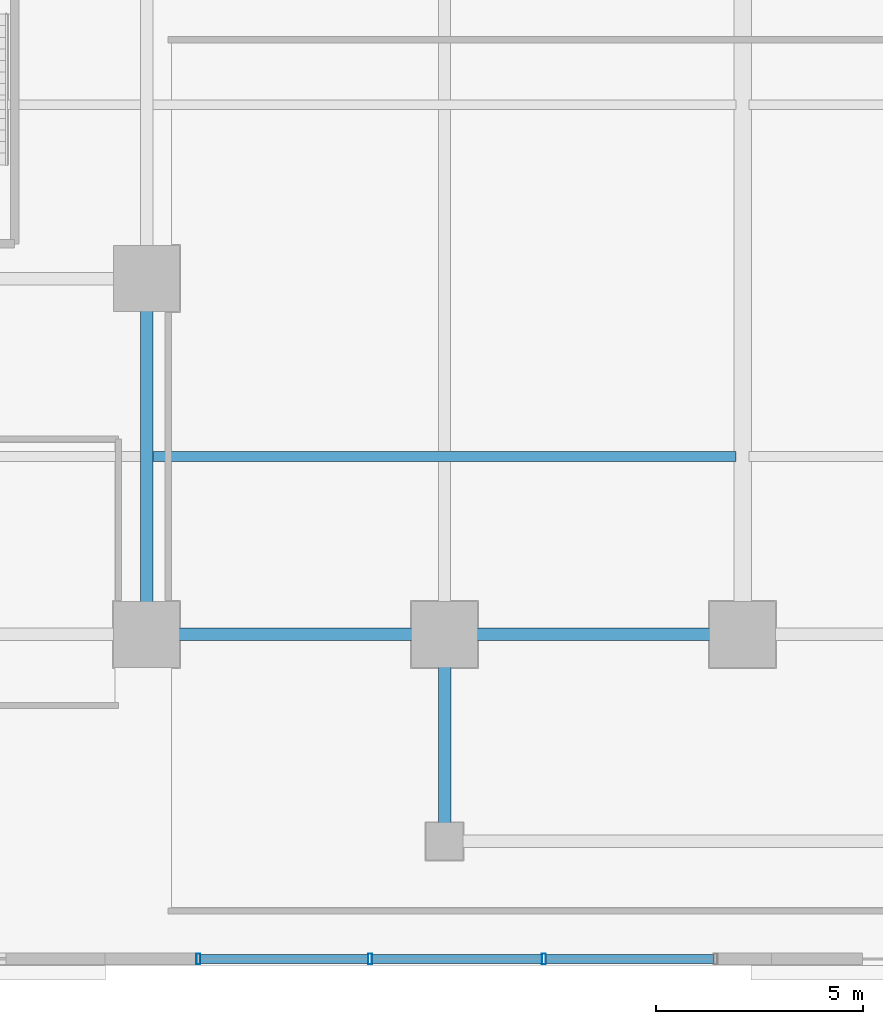
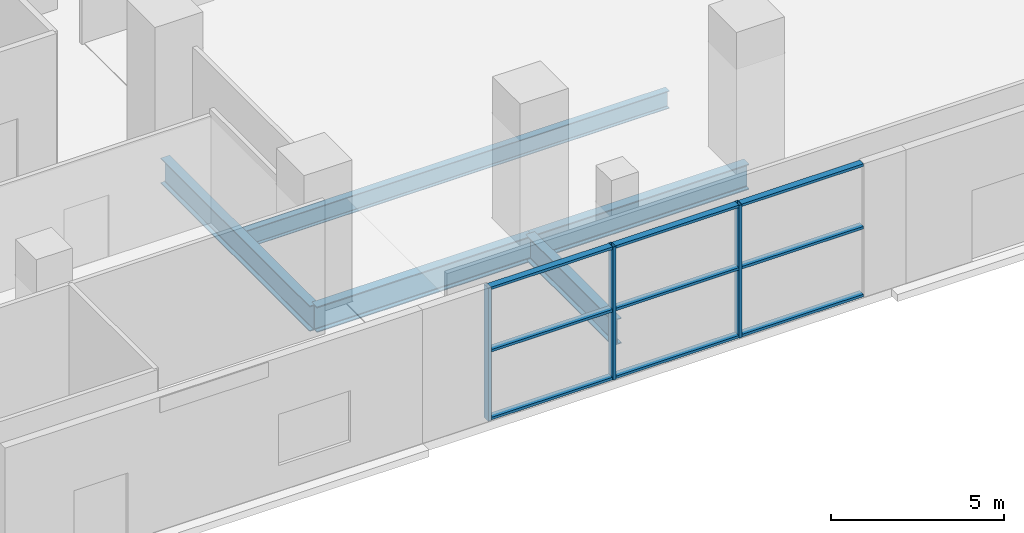
# One storey, part 2 of 27: 12 members, 5 beams, 1 element without a shape of its own.
"""IFC4 building model written with IfcOpenShell, lengths in metres."""

from ifc_helpers import new_model, si_unit, direction, frame, origin, origin_2d, place, context, subcontext, project, spatial, hollow_rectangle, i_section, extrude, source, transform, mapped, material, layer, layer_set, material_profile, profile_set, type_object, element, aggregate, save


model = new_model("IFC4")

# Units and contexts
model_context = context("Model", 3, precision=1e-05, world=origin(), true_north=direction((0.0, 1.0)))
body_context = subcontext(model_context, "Body", "Model", "MODEL_VIEW")
ifc_project = project(units=[si_unit("LENGTHUNIT", "METRE"), si_unit("AREAUNIT", "SQUARE_METRE"), si_unit("VOLUMEUNIT", "CUBIC_METRE"), si_unit("PLANEANGLEUNIT", "RADIAN"), si_unit("MASSUNIT", "GRAM", prefix="KILO")], contexts=[model_context])

# Site, building, storey
site_placement = place(None, origin())
site = spatial("IfcSite", under=ifc_project, at=site_placement, CompositionType="ELEMENT")
building_placement = place(site_placement, origin())
building = spatial("IfcBuilding", under=site, at=building_placement, Name="Zarnakvel Exchange Tower", CompositionType="ELEMENT")
storey_placement = place(building_placement, origin())
storey = spatial("IfcBuildingStorey", under=building, at=storey_placement, Name="L00", CompositionType="ELEMENT", Elevation=0.0)

# Beams
ifc_material_1 = material(Name="Steel S355", Category="steel")
ifc_material_profile_1 = material_profile(ifc_material_1, i_section(OverallWidth=0.230224609375, OverallDepth=0.6171875, WebThickness=0.01318359375, FlangeThickness=0.022216796875, FilletRadius=0.0126953125, at=origin_2d()))
ifc_profile_set_1 = profile_set([ifc_material_profile_1], Name="Steel S355")
beam_type_1 = type_object("IfcBeamType", Name="B-02", PredefinedType="JOIST", material=ifc_profile_set_1)
beam_1_placement = place(storey_placement, frame((-21.449951171875, -13.89990234375, -0.608642578125), z_axis=(1.0, 0.0, 0.0), x_axis=(0.0, 1.0, 0.0)))
element("IfcBeam", 1, at=beam_1_placement, inside=storey, type_object=beam_type_1, Name="L00 Secondary Floor Joist", PredefinedType="JOIST", context=body_context, shape_type="SweptSolid", body=[
    extrude(i_section(OverallWidth=0.230224609375, OverallDepth=0.6171875, WebThickness=0.01318359375, FlangeThickness=0.022216796875, FilletRadius=0.0126953125, at=origin_2d()), origin(), (0.0, 0.0, 1.0), 14.094970703125),
])
ifc_material_profile_2 = material_profile(ifc_material_1, i_section(OverallWidth=0.300048828125, OverallDepth=0.89990234375, WebThickness=0.0185546875, FlangeThickness=0.034912109375, FilletRadius=0.030029296875, at=origin_2d()))
ifc_profile_set_2 = profile_set([ifc_material_profile_2], Name="Steel S355")
beam_type_2 = type_object("IfcBeamType", Name="G-01", PredefinedType="BEAM", material=ifc_profile_set_2)
beam_2_placement = place(storey_placement, frame((-21.60009765625, -18.199951171875, -0.75), z_axis=(1.0, 0.0, 0.0), x_axis=(0.0, 1.0, 0.0)))
element("IfcBeam", 2, at=beam_2_placement, inside=storey, type_object=beam_type_2, Name="L00 Primary E-W Girder Y=-18.2", PredefinedType="BEAM", context=body_context, shape_type="SweptSolid", body=[
    extrude(i_section(OverallWidth=0.300048828125, OverallDepth=0.89990234375, WebThickness=0.0185546875, FlangeThickness=0.034912109375, FilletRadius=0.030029296875, at=origin_2d()), origin(), (0.0, 0.0, 1.0), 7.2001953125),
])
beam_3_placement = place(storey_placement, frame((-14.39990234375, -18.199951171875, -0.75), z_axis=(1.0, 0.0, 0.0), x_axis=(0.0, 1.0, 0.0)))
element("IfcBeam", 3, at=beam_3_placement, inside=storey, type_object=beam_type_2, Name="L00 Primary E-W Girder Y=-18.2", PredefinedType="BEAM", context=body_context, shape_type="SweptSolid", body=[
    extrude(i_section(OverallWidth=0.300048828125, OverallDepth=0.89990234375, WebThickness=0.0185546875, FlangeThickness=0.034912109375, FilletRadius=0.030029296875, at=origin_2d()), origin(), (0.0, 0.0, 1.0), 7.199951171875),
])
beam_4_placement = place(storey_placement, frame((-21.60009765625, -18.199951171875, -0.75), z_axis=(0.0, 1.0, 0.0), x_axis=(-1.0, 0.0, 0.0)))
element("IfcBeam", 4, at=beam_4_placement, inside=storey, type_object=beam_type_2, Name="L00 Primary N-S Girder X=-21.6", PredefinedType="BEAM", context=body_context, shape_type="SweptSolid", body=[
    extrude(i_section(OverallWidth=0.300048828125, OverallDepth=0.89990234375, WebThickness=0.0185546875, FlangeThickness=0.034912109375, FilletRadius=0.030029296875, at=origin_2d()), origin(), (0.0, 0.0, 1.0), 8.599853515625),
])
beam_5_placement = place(storey_placement, frame((-14.39990234375, -23.199951171875, -0.75), z_axis=(0.0, 1.0, 0.0), x_axis=(-1.0, 0.0, 0.0)))
element("IfcBeam", 5, at=beam_5_placement, inside=storey, type_object=beam_type_2, Name="L00 Primary N-S Girder X=-14.4", PredefinedType="BEAM", context=body_context, shape_type="SweptSolid", body=[
    extrude(i_section(OverallWidth=0.300048828125, OverallDepth=0.89990234375, WebThickness=0.0185546875, FlangeThickness=0.034912109375, FilletRadius=0.030029296875, at=origin_2d()), origin(), (0.0, 0.0, 1.0), 5.0),
])

# Curtain wall, members
ifc_material_2 = material(Name="Architectural Bronze Anodised Aluminium", Category="aluminium")
ifc_layer = layer(ifc_material_2, 0.260009765625)
ifc_layer_set = layer_set([ifc_layer], Name="Architectural Bronze Anodised Aluminium")
curtain_wall_type = type_object("IfcCurtainWallType", Name="CW-01", PredefinedType="NOTDEFINED", material=ifc_layer_set)
curtain_wall_placement = place(storey_placement, origin())
curtain_wall = element("IfcCurtainWall", 6, at=curtain_wall_placement, inside=storey, type_object=curtain_wall_type, Name="L00 Curtain Wall CW-L00-S1 (CW-01)", PredefinedType="NOTDEFINED")
ifc_material_profile_3 = material_profile(ifc_material_2, hollow_rectangle(XDim=0.260009765625, YDim=0.10009765625, WallThickness=0.006103515625, at=origin_2d()))
ifc_profile_set_3 = profile_set([ifc_material_profile_3], Name="Architectural Bronze Anodised Aluminium")
member_type_1 = type_object("IfcMemberType", Name="CWM-01", PredefinedType="MULLION", material=ifc_profile_set_3)
shared_shape_1 = source(origin(), body_context, "Body", "SweptSolid", [
    extrude(hollow_rectangle(XDim=0.260009765625, YDim=0.10009765625, WallThickness=0.006103515625, at=origin_2d()), origin(), (0.0, 0.0, 1.0), 4.679931640625),
])
member_1_placement = place(storey_placement, frame((-20.35009765625, -26.0400390625, 0.0), z_axis=(0.0, 0.0, 1.0), x_axis=(0.0, 1.0, 0.0)))
member_1 = element("IfcMember", 7, at=member_1_placement, type_object=member_type_1, Name="CW-01 mullion 1", PredefinedType="MULLION", context=body_context, shape_type="MappedRepresentation", body=[
    mapped(shared_shape_1, transform((0.0, 0.0, 0.0), x_axis=(1.0, 0.0, 0.0), y_axis=(0.0, 1.0, 0.0), z_axis=(0.0, 0.0, 1.0), scale=1.0)),
])
member_2_placement = place(storey_placement, frame((-16.199951171875, -26.0400390625, 0.0), z_axis=(0.0, 0.0, 1.0), x_axis=(0.0, 1.0, 0.0)))
member_2 = element("IfcMember", 8, at=member_2_placement, type_object=member_type_1, Name="CW-01 mullion 2", PredefinedType="MULLION", context=body_context, shape_type="MappedRepresentation", body=[
    mapped(shared_shape_1, transform((0.0, 0.0, 0.0), x_axis=(1.0, 0.0, 0.0), y_axis=(0.0, 1.0, 0.0), z_axis=(0.0, 0.0, 1.0), scale=1.0)),
])
member_3_placement = place(storey_placement, frame((-12.0, -26.0400390625, 0.0), z_axis=(0.0, 0.0, 1.0), x_axis=(0.0, 1.0, 0.0)))
member_3 = element("IfcMember", 9, at=member_3_placement, type_object=member_type_1, Name="CW-01 mullion 3", PredefinedType="MULLION", context=body_context, shape_type="MappedRepresentation", body=[
    mapped(shared_shape_1, transform((0.0, 0.0, 0.0), x_axis=(1.0, 0.0, 0.0), y_axis=(0.0, 1.0, 0.0), z_axis=(0.0, 0.0, 1.0), scale=1.0)),
])
ifc_material_profile_4 = material_profile(ifc_material_2, hollow_rectangle(XDim=0.219970703125, YDim=0.090087890625, WallThickness=0.0048828125, at=origin_2d()))
ifc_profile_set_4 = profile_set([ifc_material_profile_4], Name="Architectural Bronze Anodised Aluminium")
member_type_2 = type_object("IfcMemberType", Name="CWT-01", PredefinedType="USERDEFINED", material=ifc_profile_set_4)
shared_shape_2 = source(origin(), body_context, "Body", "SweptSolid", [
    extrude(hollow_rectangle(XDim=0.219970703125, YDim=0.090087890625, WallThickness=0.0048828125, at=origin_2d()), origin(), (0.0, 0.0, 1.0), 4.050048828125),
])
member_4_placement = place(storey_placement, frame((-20.300048828125, -26.0400390625, 0.044921875), z_axis=(1.0, 0.0, 0.0), x_axis=(0.0, 1.0, 0.0)))
member_4 = element("IfcMember", 10, at=member_4_placement, type_object=member_type_2, Name="CW-01 transom 1.1", ObjectType="TRANSOM", PredefinedType="USERDEFINED", context=body_context, shape_type="MappedRepresentation", body=[
    mapped(shared_shape_2, transform((0.0, 0.0, 0.0), x_axis=(1.0, 0.0, 0.0), y_axis=(0.0, 1.0, 0.0), z_axis=(0.0, 0.0, 1.0), scale=1.0)),
])
member_5_placement = place(storey_placement, frame((-20.300048828125, -26.0400390625, 2.43359375), z_axis=(1.0, 0.0, 0.0), x_axis=(0.0, 1.0, 0.0)))
member_5 = element("IfcMember", 11, at=member_5_placement, type_object=member_type_2, Name="CW-01 transom 1.2", ObjectType="TRANSOM", PredefinedType="USERDEFINED", context=body_context, shape_type="MappedRepresentation", body=[
    mapped(shared_shape_2, transform((0.0, 0.0, 0.0), x_axis=(1.0, 0.0, 0.0), y_axis=(0.0, 1.0, 0.0), z_axis=(0.0, 0.0, 1.0), scale=1.0)),
])
member_6_placement = place(storey_placement, frame((-20.300048828125, -26.0400390625, 4.635009765625), z_axis=(1.0, 0.0, 0.0), x_axis=(0.0, 1.0, 0.0)))
member_6 = element("IfcMember", 12, at=member_6_placement, type_object=member_type_2, Name="CW-01 transom 1.3", ObjectType="TRANSOM", PredefinedType="USERDEFINED", context=body_context, shape_type="MappedRepresentation", body=[
    mapped(shared_shape_2, transform((0.0, 0.0, 0.0), x_axis=(1.0, 0.0, 0.0), y_axis=(0.0, 1.0, 0.0), z_axis=(0.0, 0.0, 1.0), scale=1.0)),
])
member_7_placement = place(storey_placement, frame((-11.949951171875, -26.0400390625, 0.044921875), z_axis=(1.0, 0.0, 0.0), x_axis=(0.0, 1.0, 0.0)))
member_7 = element("IfcMember", 13, at=member_7_placement, type_object=member_type_2, Name="CW-01 transom 3.1", ObjectType="TRANSOM", PredefinedType="USERDEFINED", context=body_context, shape_type="MappedRepresentation", body=[
    mapped(shared_shape_2, transform((0.0, 0.0, 0.0), x_axis=(1.0, 0.0, 0.0), y_axis=(0.0, 1.0, 0.0), z_axis=(0.0, 0.0, 1.0), scale=1.0)),
])
member_8_placement = place(storey_placement, frame((-11.949951171875, -26.0400390625, 2.43359375), z_axis=(1.0, 0.0, 0.0), x_axis=(0.0, 1.0, 0.0)))
member_8 = element("IfcMember", 14, at=member_8_placement, type_object=member_type_2, Name="CW-01 transom 3.2", ObjectType="TRANSOM", PredefinedType="USERDEFINED", context=body_context, shape_type="MappedRepresentation", body=[
    mapped(shared_shape_2, transform((0.0, 0.0, 0.0), x_axis=(1.0, 0.0, 0.0), y_axis=(0.0, 1.0, 0.0), z_axis=(0.0, 0.0, 1.0), scale=1.0)),
])
member_9_placement = place(storey_placement, frame((-11.949951171875, -26.0400390625, 4.635009765625), z_axis=(1.0, 0.0, 0.0), x_axis=(0.0, 1.0, 0.0)))
member_9 = element("IfcMember", 15, at=member_9_placement, type_object=member_type_2, Name="CW-01 transom 3.3", ObjectType="TRANSOM", PredefinedType="USERDEFINED", context=body_context, shape_type="MappedRepresentation", body=[
    mapped(shared_shape_2, transform((0.0, 0.0, 0.0), x_axis=(1.0, 0.0, 0.0), y_axis=(0.0, 1.0, 0.0), z_axis=(0.0, 0.0, 1.0), scale=1.0)),
])
shared_shape_3 = source(origin(), body_context, "Body", "SweptSolid", [
    extrude(hollow_rectangle(XDim=0.219970703125, YDim=0.090087890625, WallThickness=0.0048828125, at=origin_2d()), origin(), (0.0, 0.0, 1.0), 4.099853515625),
])
member_10_placement = place(storey_placement, frame((-16.14990234375, -26.0400390625, 0.044921875), z_axis=(1.0, 0.0, 0.0), x_axis=(0.0, 1.0, 0.0)))
member_10 = element("IfcMember", 16, at=member_10_placement, type_object=member_type_2, Name="CW-01 transom 2.1", ObjectType="TRANSOM", PredefinedType="USERDEFINED", context=body_context, shape_type="MappedRepresentation", body=[
    mapped(shared_shape_3, transform((0.0, 0.0, 0.0), x_axis=(1.0, 0.0, 0.0), y_axis=(0.0, 1.0, 0.0), z_axis=(0.0, 0.0, 1.0), scale=1.0)),
])
member_11_placement = place(storey_placement, frame((-16.14990234375, -26.0400390625, 2.43359375), z_axis=(1.0, 0.0, 0.0), x_axis=(0.0, 1.0, 0.0)))
member_11 = element("IfcMember", 17, at=member_11_placement, type_object=member_type_2, Name="CW-01 transom 2.2", ObjectType="TRANSOM", PredefinedType="USERDEFINED", context=body_context, shape_type="MappedRepresentation", body=[
    mapped(shared_shape_3, transform((0.0, 0.0, 0.0), x_axis=(1.0, 0.0, 0.0), y_axis=(0.0, 1.0, 0.0), z_axis=(0.0, 0.0, 1.0), scale=1.0)),
])
member_12_placement = place(storey_placement, frame((-16.14990234375, -26.0400390625, 4.635009765625), z_axis=(1.0, 0.0, 0.0), x_axis=(0.0, 1.0, 0.0)))
member_12 = element("IfcMember", 18, at=member_12_placement, type_object=member_type_2, Name="CW-01 transom 2.3", ObjectType="TRANSOM", PredefinedType="USERDEFINED", context=body_context, shape_type="MappedRepresentation", body=[
    mapped(shared_shape_3, transform((0.0, 0.0, 0.0), x_axis=(1.0, 0.0, 0.0), y_axis=(0.0, 1.0, 0.0), z_axis=(0.0, 0.0, 1.0), scale=1.0)),
])
aggregate(curtain_wall, [member_1, member_2, member_3, member_4, member_5, member_6, member_10, member_11, member_12, member_7, member_8, member_9])

save(model, "model.ifc")
